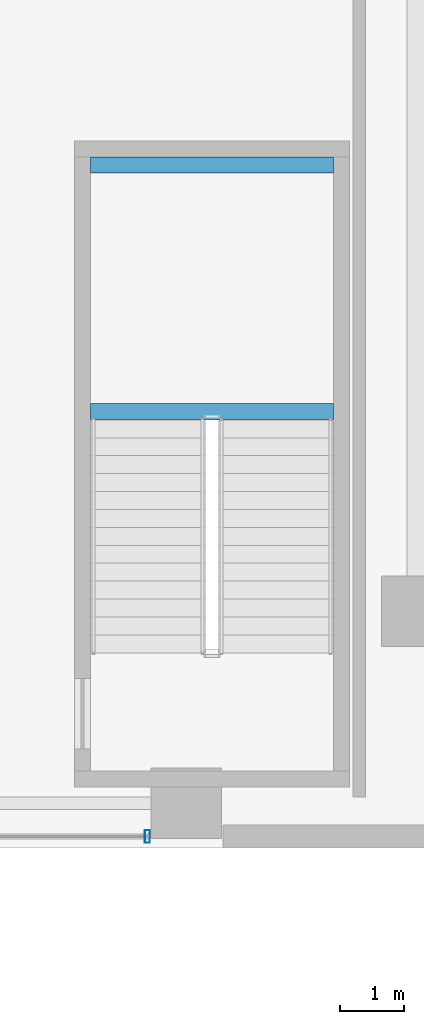
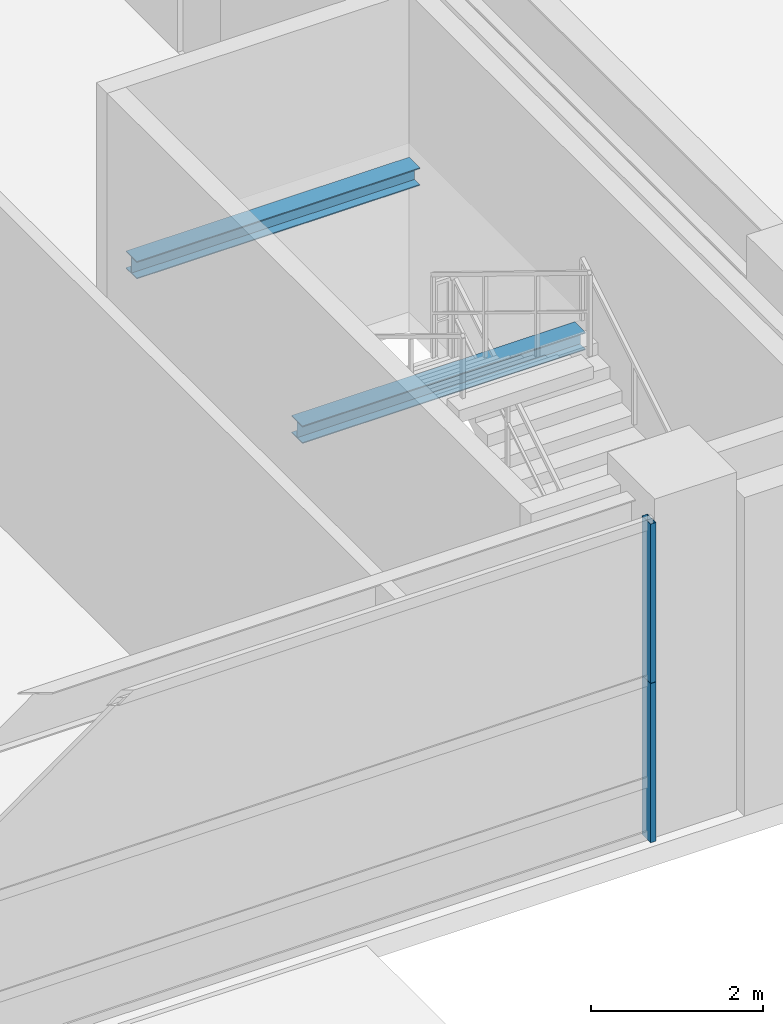
# One storey, part 13 of 37: 2 beams, 2 members, 1 element without a shape of its own.
"""IFC4 building model written with IfcOpenShell, lengths in metres."""

from ifc_helpers import new_model, si_unit, direction, frame, origin, origin_2d, place, context, subcontext, project, spatial, hollow_rectangle, i_section, extrude, source, transform, mapped, material, layer, layer_set, material_profile, profile_set, type_object, element, aggregate, save


model = new_model("IFC4")

# Units and contexts
model_context = context("Model", 3, precision=1e-05, world=origin(), true_north=direction((0.0, 1.0)))
body_context = subcontext(model_context, "Body", "Model", "MODEL_VIEW")
ifc_project = project(units=[si_unit("LENGTHUNIT", "METRE"), si_unit("AREAUNIT", "SQUARE_METRE"), si_unit("VOLUMEUNIT", "CUBIC_METRE"), si_unit("PLANEANGLEUNIT", "RADIAN"), si_unit("MASSUNIT", "GRAM", prefix="KILO"), si_unit("THERMODYNAMICTEMPERATUREUNIT", "KELVIN"), si_unit("POWERUNIT", "WATT")], contexts=[model_context])

# Site, building, storey
site_placement = place(None, origin())
site = spatial("IfcSite", under=ifc_project, at=site_placement, CompositionType="ELEMENT")
building_placement = place(site_placement, origin())
building = spatial("IfcBuilding", under=site, at=building_placement, Name="Yuzanri Waterfront Tower", CompositionType="ELEMENT")
storey_placement = place(building_placement, frame((0.0, 0.0, 5.39990234375)))
storey = spatial("IfcBuildingStorey", under=building, at=storey_placement, Name="L02", CompositionType="ELEMENT", Elevation=5.39990234375)

# Curtain wall, members
ifc_material_1 = material(Name="Anodized Architectural Bronze", Category="metal")
ifc_layer = layer(ifc_material_1, 0.159912109375)
ifc_layer_set = layer_set([ifc_layer], Name="Anodized Architectural Bronze")
curtain_wall_type = type_object("IfcCurtainWallType", Name="Anodized Bronze Podium Waterfront Double-Height Unitized Curtain Wall 8400", PredefinedType="NOTDEFINED", material=ifc_layer_set)
curtain_wall_placement = place(storey_placement, origin())
curtain_wall = element("IfcCurtainWall", 1, at=curtain_wall_placement, inside=storey, type_object=curtain_wall_type, Name="L02 Curtain Wall CW-L02-S2", PredefinedType="NOTDEFINED")
ifc_material_2 = material(Name="Anodized Architectural Bronze", Category="metal")
ifc_material_profile_1 = material_profile(ifc_material_2, hollow_rectangle(XDim=0.074951171875, YDim=0.199951171875, WallThickness=0.00390625, at=origin_2d()), Name="CWM 75x200")
ifc_profile_set_1 = profile_set([ifc_material_profile_1], Name="Anodized Architectural Bronze")
member_type = type_object("IfcMemberType", Name="Anodized Bronze Primary Curtain-Wall Mullion 75x200", PredefinedType="MULLION", material=ifc_profile_set_1)
shared_shape_1 = source(origin(), body_context, "Body", "SweptSolid", [
    extrude(hollow_rectangle(XDim=0.074951171875, YDim=0.199951171875, WallThickness=0.00390625, at=origin_2d()), origin(), (0.0, 0.0, 1.0), 2.258056640625),
])
member_1_placement = place(storey_placement, frame((57.889892578125, 1.97998046875, 0.0), z_axis=(0.0, 0.0, 1.0), x_axis=(1.0, 0.0, 0.0)))
member_1 = element("IfcMember", 2, at=member_1_placement, type_object=member_type, Name="CW-L02-S2 Lower Mullion 02", PredefinedType="MULLION", context=body_context, shape_type="MappedRepresentation", body=[
    mapped(shared_shape_1, transform((0.0, 0.0, 0.0), scale=1.0)),
])
shared_shape_2 = source(origin(), body_context, "Body", "SweptSolid", [
    extrude(hollow_rectangle(XDim=0.074951171875, YDim=0.199951171875, WallThickness=0.00390625, at=origin_2d()), origin(), (0.0, 0.0, 1.0), 2.2578125),
])
member_2_placement = place(storey_placement, frame((57.889892578125, 1.97998046875, 2.26220703125), z_axis=(0.0, 0.0, 1.0), x_axis=(1.0, 0.0, 0.0)))
member_2 = element("IfcMember", 3, at=member_2_placement, type_object=member_type, Name="CW-L02-S2 Upper Mullion 02", PredefinedType="MULLION", context=body_context, shape_type="MappedRepresentation", body=[
    mapped(shared_shape_2, transform((0.0, 0.0, 0.0), scale=1.0)),
])
aggregate(curtain_wall, [member_1, member_2])

# Beams
ifc_material_3 = material(Name="Steel Q355B", Category="steel")
ifc_material_profile_2 = material_profile(ifc_material_3, i_section(OverallWidth=0.25, OverallDepth=0.25, WebThickness=0.009033203125, FlangeThickness=0.013916015625, at=origin_2d()), Name="HW 250x250x9x14")
ifc_profile_set_2 = profile_set([ifc_material_profile_2], Name="Steel Q355B")
beam_type = type_object("IfcBeamType", Name="Stair Landing Support Beam Q355B HW 250x250", PredefinedType="BEAM", material=ifc_profile_set_2)
shared_shape_3 = source(origin(), body_context, "Body", "SweptSolid", [
    extrude(i_section(OverallWidth=0.25, OverallDepth=0.25, WebThickness=0.009033203125, FlangeThickness=0.013916015625, at=origin_2d()), origin(), (0.0, 0.0, 1.0), 3.800048828125),
])
for number, where, z_axis, x_axis, name in (
    (4, (57.0, 8.6201171875, 2.0751953125), (1.0, 0.0, 0.0), (0.0, 1.0, 0.0), "L02 Stair Landing Support Beam PST-02-L02-L1-1"),
    (5, (57.0, 12.469970703125, 2.0751953125), (1.0, 0.0, 0.0), (0.0, 1.0, 0.0), "L02 Stair Landing Support Beam PST-02-L02-L1-2"),
):
    element("IfcBeam", number, at=place(storey_placement, frame(where, z_axis=z_axis, x_axis=x_axis)), inside=storey, type_object=beam_type, Name=name, PredefinedType="BEAM", context=body_context, shape_type="MappedRepresentation", body=[
        mapped(shared_shape_3, transform((0.0, 0.0, 0.0), scale=1.0)),
    ])

save(model, "model.ifc")
